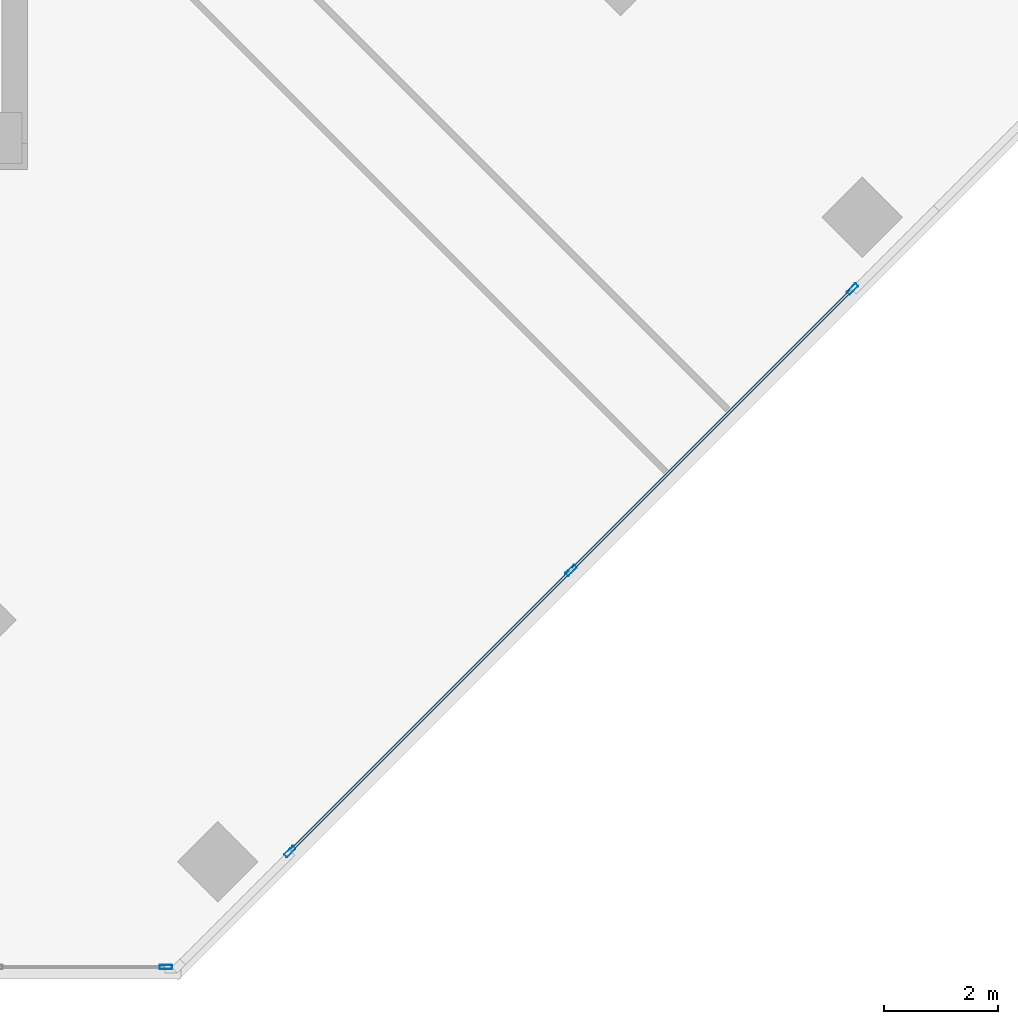
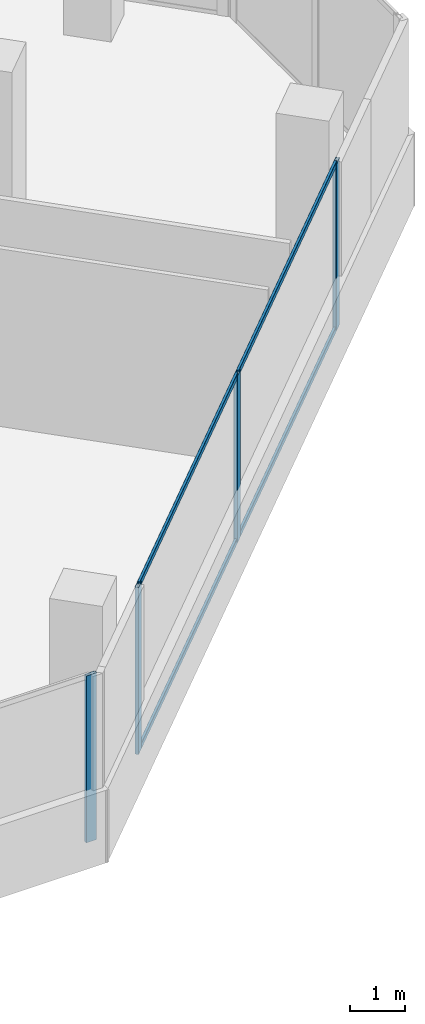
# One storey, part 6 of 18: 8 members, 2 elements without a shape of their own.
"""IFC4 building model written with IfcOpenShell, lengths in metres."""

from ifc_helpers import new_model, si_unit, direction, frame, origin, origin_2d, place, context, subcontext, project, spatial, hollow_rectangle, extrude, source, transform, mapped, material, material_profile, profile_set, type_object, element, aggregate, save


model = new_model("IFC4")

# Units and contexts
model_context = context("Model", 3, precision=1e-05, world=origin(), true_north=direction((0.0, 1.0)))
body_context = subcontext(model_context, "Body", "Model", "MODEL_VIEW")
ifc_project = project(units=[si_unit("LENGTHUNIT", "METRE"), si_unit("AREAUNIT", "SQUARE_METRE"), si_unit("VOLUMEUNIT", "CUBIC_METRE"), si_unit("PLANEANGLEUNIT", "RADIAN"), si_unit("MASSUNIT", "GRAM", prefix="KILO")], contexts=[model_context])

# Site, building, storey
site_placement = place(None, origin())
site = spatial("IfcSite", under=ifc_project, at=site_placement, CompositionType="ELEMENT")
building_placement = place(site_placement, origin())
building = spatial("IfcBuilding", under=site, at=building_placement, Name="Torre Montelarca", CompositionType="ELEMENT")
storey_placement = place(building_placement, frame((0.0, 0.0, 245.800048828125)))
storey = spatial("IfcBuildingStorey", under=building, at=storey_placement, Name="L55", CompositionType="ELEMENT", Elevation=245.800048828125)

# Curtain wall, member
ifc_material_1 = material(Name="Insulated low-E laminated glass", Category="glass")
curtain_wall_type = type_object("IfcCurtainWallType", Name="CW-SYS-Z3", PredefinedType="USERDEFINED", material=ifc_material_1)
curtain_wall_1_placement = place(storey_placement, origin())
curtain_wall_1 = element("IfcCurtainWall", 1, at=curtain_wall_1_placement, inside=storey, type_object=curtain_wall_type, Name="L55 Curtain Wall Run CW-T3-L55-E05-B1", ObjectType="UNITISED GLAZING", PredefinedType="USERDEFINED")
ifc_material_2 = material(Name="Anodised aluminium AA 6063-T6", Category="aluminium")
ifc_material_profile_1 = material_profile(ifc_material_2, hollow_rectangle(XDim=0.074951171875, YDim=0.219970703125, WallThickness=0.0048828125, InnerFilletRadius=0.0048828125, OuterFilletRadius=0.010009765625, at=origin_2d()), Name="ALU75X220X5", Category="aluminium")
ifc_profile_set_1 = profile_set([ifc_material_profile_1], Name="Anodised aluminium AA 6063-T6")
member_type_1 = type_object("IfcMemberType", Name="CWM-ALU220", PredefinedType="MULLION", material=ifc_profile_set_1)
shared_shape_1 = source(origin(), body_context, "Body", "SweptSolid", [
    extrude(hollow_rectangle(XDim=0.074951171875, YDim=0.219970703125, WallThickness=0.0048828125, InnerFilletRadius=0.0048828125, OuterFilletRadius=0.010009765625, at=origin_2d()), origin(), (0.0, 0.0, 1.0), 3.719970703125),
])
member_1_placement = place(storey_placement, frame((29.428466796875, 9.99755859375, 0.0), z_axis=(0.0, 0.0, 1.0), x_axis=(0.0, 1.0, 0.0)))
member_1 = element("IfcMember", 2, at=member_1_placement, type_object=member_type_1, Name="CW mullion 3", PredefinedType="MULLION", context=body_context, shape_type="MappedRepresentation", body=[
    mapped(shared_shape_1, transform((0.0, 0.0, 0.0), scale=1.0)),
])
aggregate(curtain_wall_1, [member_1])

# Curtain wall, members
curtain_wall_2_placement = place(storey_placement, origin())
curtain_wall_2 = element("IfcCurtainWall", 3, at=curtain_wall_2_placement, inside=storey, type_object=curtain_wall_type, Name="L55 Curtain Wall Run CW-T3-L55-E06-B1", ObjectType="UNITISED GLAZING", PredefinedType="USERDEFINED")
member_2_placement = place(storey_placement, frame((31.602783203125, 12.0224609375, 0.0), z_axis=(0.0, 0.0, 1.0), x_axis=(-0.707106781187, 0.707106781187, 0.0)))
member_2 = element("IfcMember", 4, at=member_2_placement, type_object=member_type_1, Name="CW mullion 1", PredefinedType="MULLION", context=body_context, shape_type="MappedRepresentation", body=[
    mapped(shared_shape_1, transform((0.0, 0.0, 0.0), scale=1.0)),
])
member_3_placement = place(storey_placement, frame((36.5400390625, 16.9599609375, 0.0), z_axis=(0.0, 0.0, 1.0), x_axis=(-0.707106781187, 0.707106781187, 0.0)))
member_3 = element("IfcMember", 5, at=member_3_placement, type_object=member_type_1, Name="CW mullion 2", PredefinedType="MULLION", context=body_context, shape_type="MappedRepresentation", body=[
    mapped(shared_shape_1, transform((0.0, 0.0, 0.0), scale=1.0)),
])
member_4_placement = place(storey_placement, frame((41.4775390625, 21.897216796875, 0.0), z_axis=(0.0, 0.0, 1.0), x_axis=(-0.707106781187, 0.707106781187, 0.0)))
member_4 = element("IfcMember", 6, at=member_4_placement, type_object=member_type_1, Name="CW mullion 3", PredefinedType="MULLION", context=body_context, shape_type="MappedRepresentation", body=[
    mapped(shared_shape_1, transform((0.0, 0.0, 0.0), scale=1.0)),
])
ifc_material_profile_2 = material_profile(ifc_material_2, hollow_rectangle(XDim=0.054931640625, YDim=0.1201171875, WallThickness=0.00341796875, InnerFilletRadius=0.00341796875, OuterFilletRadius=0.007080078125, at=origin_2d()), Name="ALU55X120X3.5", Category="aluminium")
ifc_profile_set_2 = profile_set([ifc_material_profile_2], Name="Anodised aluminium AA 6063-T6")
member_type_2 = type_object("IfcMemberType", Name="CWT-ALU120", PredefinedType="USERDEFINED", material=ifc_profile_set_2)
shared_shape_2 = source(origin(), body_context, "Body", "SweptSolid", [
    extrude(hollow_rectangle(XDim=0.054931640625, YDim=0.1201171875, WallThickness=0.00341796875, InnerFilletRadius=0.00341796875, OuterFilletRadius=0.007080078125, at=origin_2d()), origin(), (0.0, 0.0, 1.0), 6.907470703125),
])
member_5_placement = place(storey_placement, frame((31.62939453125, 12.049072265625, 0.02734375), z_axis=(0.707106781187, 0.707106781187, 0.0), x_axis=(-0.707106781187, 0.707106781187, 0.0)))
member_5 = element("IfcMember", 7, at=member_5_placement, type_object=member_type_2, Name="CW transom 1.1", ObjectType="TRANSOM", PredefinedType="USERDEFINED", context=body_context, shape_type="MappedRepresentation", body=[
    mapped(shared_shape_2, transform((0.0, 0.0, 0.0), scale=1.0)),
])
member_6_placement = place(storey_placement, frame((31.62939453125, 12.049072265625, 3.6923828125), z_axis=(0.707106781187, 0.707106781187, 0.0), x_axis=(-0.707106781187, 0.707106781187, 0.0)))
member_6 = element("IfcMember", 8, at=member_6_placement, type_object=member_type_2, Name="CW transom 1.2", ObjectType="TRANSOM", PredefinedType="USERDEFINED", context=body_context, shape_type="MappedRepresentation", body=[
    mapped(shared_shape_2, transform((0.0, 0.0, 0.0), scale=1.0)),
])
member_7_placement = place(storey_placement, frame((36.566650390625, 16.986328125, 0.02734375), z_axis=(0.707106781187, 0.707106781187, 0.0), x_axis=(-0.707106781187, 0.707106781187, 0.0)))
member_7 = element("IfcMember", 9, at=member_7_placement, type_object=member_type_2, Name="CW transom 2.1", ObjectType="TRANSOM", PredefinedType="USERDEFINED", context=body_context, shape_type="MappedRepresentation", body=[
    mapped(shared_shape_2, transform((0.0, 0.0, 0.0), scale=1.0)),
])
member_8_placement = place(storey_placement, frame((36.566650390625, 16.986328125, 3.6923828125), z_axis=(0.707106781187, 0.707106781187, 0.0), x_axis=(-0.707106781187, 0.707106781187, 0.0)))
member_8 = element("IfcMember", 10, at=member_8_placement, type_object=member_type_2, Name="CW transom 2.2", ObjectType="TRANSOM", PredefinedType="USERDEFINED", context=body_context, shape_type="MappedRepresentation", body=[
    mapped(shared_shape_2, transform((0.0, 0.0, 0.0), scale=1.0)),
])
aggregate(curtain_wall_2, [member_2, member_3, member_4, member_5, member_6, member_7, member_8])

save(model, "model.ifc")
